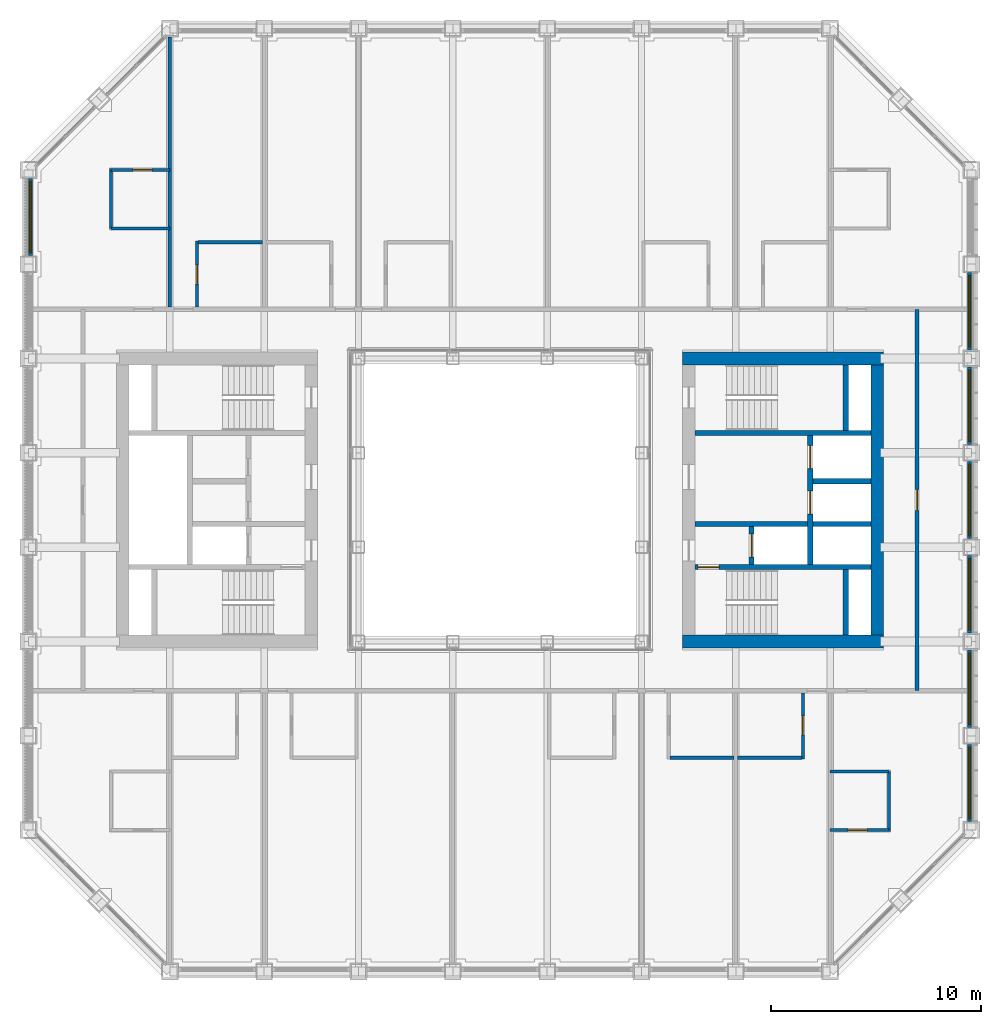
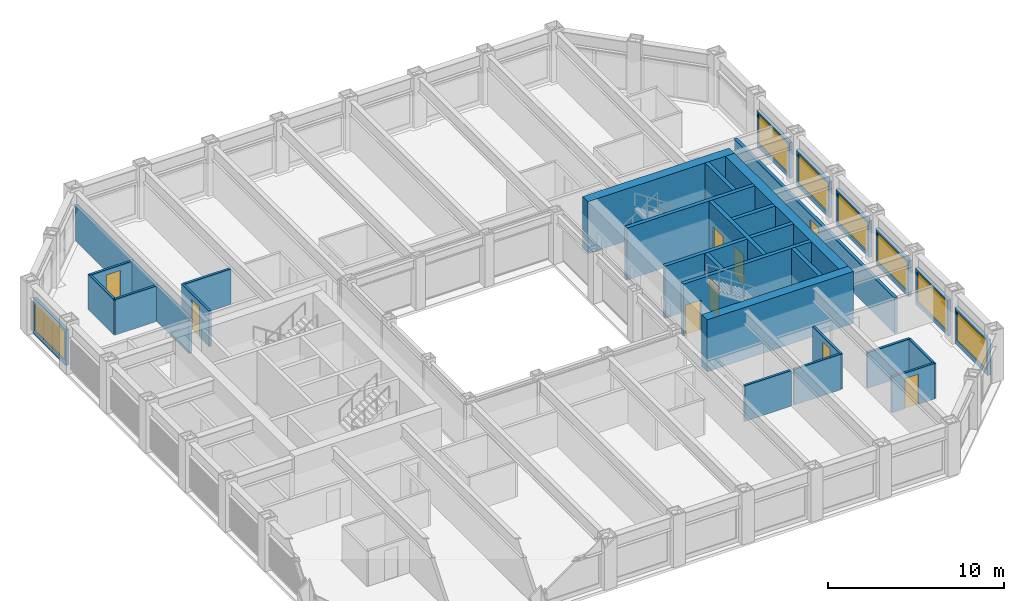
# One storey, part 12 of 17: 32 walls, 9 doors, 7 windows, 16 openings.
"""IFC4 building model written with IfcOpenShell, lengths in metres."""

import ifcopenshell
import ifcopenshell.guid

model = None  # the IFC model being written
_history = None  # IfcOwnerHistory: only IFC2X3 demands one
_inside = {}  # id of a spatial element -> (the spatial element, [elements in it])
_under = {}  # id of a project, library or spatial element -> (it, [spatial elements below it])
_declared = {}  # id of a project -> (the project, [libraries it declares])
_typed = {}  # id of a type object -> (the type object, [elements of that type])
_made_of = {}  # id of a material, layer set ... -> (it, [elements and type objects made of it])


def new_model(schema):
    """Start an empty IFC model of exactly this schema.

    Asked for "IFC4X3", IfcOpenShell would pick the latest addendum, in which some entities
    have other attributes; the version numbers below select the first issue.
    IFC2X3 requires an IfcOwnerHistory on every rooted entity: one is made here for all.
    """
    global model, _history
    if schema == "IFC4X3":
        model = ifcopenshell.file(schema_version=(4, 3, 0, 0))
    else:
        model = ifcopenshell.file(schema=schema)
    _inside.clear()
    _under.clear()
    _declared.clear()
    _typed.clear()
    _made_of.clear()
    _history = None
    if model.schema == "IFC2X3":
        org = make("IfcOrganization", Name="unknown")
        user = make(
            "IfcPersonAndOrganization",
            ThePerson=make("IfcPerson", FamilyName="unknown"),
            TheOrganization=org,
        )
        app = make(
            "IfcApplication",
            ApplicationDeveloper=org,
            Version="unknown",
            ApplicationFullName="unknown",
            ApplicationIdentifier="unknown",
        )
        _history = make(
            "IfcOwnerHistory",
            OwningUser=user,
            OwningApplication=app,
            ChangeAction="ADDED",
            CreationDate=0,
        )
    return model


def make(cls, **values):
    """One entity of the class cls with the attributes given. An attribute that is None is left unset."""
    return model.create_entity(
        cls, **{name: value for name, value in values.items() if value is not None}
    )


def rooted(cls, **values):
    """An entity with a GlobalId (a new one), such as an element, a storey or a relation."""
    return make(cls, GlobalId=ifcopenshell.guid.new(), OwnerHistory=_history, **values)


def si_unit(unit_type, name, prefix=None):
    """IfcSIUnit, for example si_unit("LENGTHUNIT", "METRE", prefix="MILLI")."""
    return make("IfcSIUnit", UnitType=unit_type, Prefix=prefix, Name=name)


def assignment(units):
    """IfcUnitAssignment: the units of a project."""
    return None if units is None else make("IfcUnitAssignment", Units=units)


def point(xyz):
    """IfcCartesianPoint."""
    return None if xyz is None else make("IfcCartesianPoint", Coordinates=xyz)


def direction(xyz):
    """IfcDirection."""
    return None if xyz is None else make("IfcDirection", DirectionRatios=xyz)


def frame(location, z_axis=None, x_axis=None):
    """IfcAxis2Placement3D, a coordinate frame: its origin and axes. An axis left out is left unset."""
    return make(
        "IfcAxis2Placement3D",
        Location=point(location),
        Axis=direction(z_axis),
        RefDirection=direction(x_axis),
    )


def frame_2d(location, x_axis=None):
    """IfcAxis2Placement2D, a coordinate frame in the plane: its origin and x axis."""
    return make(
        "IfcAxis2Placement2D", Location=point(location), RefDirection=direction(x_axis)
    )


def origin():
    """The frame at (0, 0, 0) with its axes left unset."""
    return frame((0.0, 0.0, 0.0))


def place(relative_to, where):
    """IfcLocalPlacement: puts the frame where relative to a parent placement (None: the world)."""
    return make(
        "IfcLocalPlacement", PlacementRelTo=relative_to, RelativePlacement=where
    )


def context(
    kind, dimensions, precision=None, world=None, true_north=None, identifier=None
):
    """IfcGeometricRepresentationContext, for example the 3D "Model" context."""
    return make(
        "IfcGeometricRepresentationContext",
        ContextIdentifier=identifier,
        ContextType=kind,
        CoordinateSpaceDimension=dimensions,
        Precision=precision,
        WorldCoordinateSystem=world,
        TrueNorth=true_north,
    )


def subcontext(parent, identifier, kind, view, scale=None):
    """IfcGeometricRepresentationSubContext, for example "Body" below "Model"."""
    return make(
        "IfcGeometricRepresentationSubContext",
        ContextIdentifier=identifier,
        ContextType=kind,
        ParentContext=parent,
        TargetScale=scale,
        TargetView=view,
    )


def project(units=None, contexts=None):
    """IfcProject with its units and contexts."""
    return rooted(
        "IfcProject",
        Name="project",
        RepresentationContexts=contexts,
        UnitsInContext=assignment(units),
    )


def spatial(cls, under=None, at=None, **own):
    """A site, building, storey or space (cls), placed at a placement, below another one or the project."""
    s = rooted(cls, ObjectPlacement=at, **own)
    if under is not None:
        _under.setdefault(under.id(), (under, []))[1].append(s)
    return s


def profile(cls, at=None, kind="AREA", **sizes):
    """A parametric profile (cls). Its sizes go by their IFC names, for example OverallWidth=200.0."""
    return make(cls, ProfileType=kind, Position=at, **sizes)


def rectangle(**sizes):
    """IfcRectangleProfileDef."""
    return profile("IfcRectangleProfileDef", **sizes)


def extrude(swept, where, along, depth):
    """IfcExtrudedAreaSolid: the profile swept, set in the frame where, extruded along a direction by depth."""
    return make(
        "IfcExtrudedAreaSolid",
        SweptArea=swept,
        Position=where,
        ExtrudedDirection=direction(along),
        Depth=depth,
    )


def shape(context_of_items, identifier, shape_type, items):
    """IfcShapeRepresentation: the items that make up one representation, for example the "Body"."""
    return make(
        "IfcShapeRepresentation",
        ContextOfItems=context_of_items,
        RepresentationIdentifier=identifier,
        RepresentationType=shape_type,
        Items=items,
    )


def material(Name=None, Category=None):
    """IfcMaterial."""
    return make("IfcMaterial", Name=Name, Category=Category)


def layer(
    of_material, thickness, ventilated=None, Name=None, Category=None, Priority=None
):
    """IfcMaterialLayer: one layer of a wall or slab, of a material (None: an air gap)."""
    return make(
        "IfcMaterialLayer",
        Material=of_material,
        LayerThickness=thickness,
        IsVentilated=ventilated,
        Name=Name,
        Category=Category,
        Priority=Priority,
    )


def layer_set(layers, Name=None):
    """IfcMaterialLayerSet."""
    return make("IfcMaterialLayerSet", MaterialLayers=layers, LayerSetName=Name)


def made_of(thing, what):
    """Note that an element or type object is made of a material, layer set ...; save() writes the relation."""
    if what is not None:
        _made_of.setdefault(what.id(), (what, []))[1].append(thing)
    return thing


def type_object(cls, material=None, **own):
    """A type object (cls), such as IfcWallType, which elements share."""
    return made_of(rooted(cls, **own), material)


def element(
    cls,
    number,
    at=None,
    inside=None,
    cuts=None,
    type_object=None,
    material=None,
    context=None,
    identifier="Body",
    shape_type=None,
    held_by="IfcProductDefinitionShape",
    body=None,
    shapes=None,
    **own,
):
    """One element of the class cls, such as IfcWall. Its Tag is "e" and its number.

    at: its placement. inside: the storey or other place that contains it. cuts: it is an
    opening in that element (IfcRelVoidsElement). A single representation is given by context,
    identifier, shape_type and body (its items); several are given by shapes. held_by: the class
    of the entity that holds the representations. save() writes the other relations.
    """
    e = rooted(cls, Tag="e%d" % number, ObjectPlacement=at, **own)
    if body is not None:
        shapes = [shape(context, identifier, shape_type, body)]
    if shapes is not None:
        e.Representation = make(held_by, Representations=shapes)
    if inside is not None:
        _inside.setdefault(inside.id(), (inside, []))[1].append(e)
    if cuts is not None:
        rooted(
            "IfcRelVoidsElement", RelatingBuildingElement=cuts, RelatedOpeningElement=e
        )
    if type_object is not None:
        _typed.setdefault(type_object.id(), (type_object, []))[1].append(e)
    return made_of(e, material)


def fill(opening, filler):
    """IfcRelFillsElement: the door or window that sits in an opening."""
    return rooted(
        "IfcRelFillsElement",
        RelatingOpeningElement=opening,
        RelatedBuildingElement=filler,
    )


def aggregate(whole, parts):
    """IfcRelAggregates: a whole, such as a stair, and the parts it consists of."""
    return rooted("IfcRelAggregates", RelatingObject=whole, RelatedObjects=parts)


def save(model, path):
    """Write the relations noted so far, then the file.

    IfcRelAggregates (storeys below a building ...), IfcRelContainedInSpatialStructure (elements
    in a storey), IfcRelDefinesByType, IfcRelAssociatesMaterial and IfcRelDeclares: one each for
    every whole, place, type object, material and project.
    """
    for whole, parts in _under.values():
        aggregate(whole, parts)
    for where, things in _inside.values():
        rooted(
            "IfcRelContainedInSpatialStructure",
            RelatedElements=things,
            RelatingStructure=where,
        )
    for kind, things in _typed.values():
        rooted("IfcRelDefinesByType", RelatedObjects=things, RelatingType=kind)
    for what, things in _made_of.values():
        rooted("IfcRelAssociatesMaterial", RelatedObjects=things, RelatingMaterial=what)
    for by, libraries in _declared.values():
        rooted("IfcRelDeclares", RelatingContext=by, RelatedDefinitions=libraries)
    model.write(path)


model = new_model("IFC4")

# Units and contexts
model_context = context("Model", 3, precision=1e-05, world=origin(), true_north=direction((0.0, 1.0)))
body_context = subcontext(model_context, "Body", "Model", "MODEL_VIEW")
ifc_project = project(units=[si_unit("LENGTHUNIT", "METRE"), si_unit("AREAUNIT", "SQUARE_METRE"), si_unit("VOLUMEUNIT", "CUBIC_METRE"), si_unit("PLANEANGLEUNIT", "RADIAN"), si_unit("MASSUNIT", "GRAM", prefix="KILO")], contexts=[model_context])

# Site, building, storey
site_placement = place(None, origin())
site = spatial("IfcSite", under=ifc_project, at=site_placement, CompositionType="ELEMENT")
building_placement = place(site_placement, origin())
building = spatial("IfcBuilding", under=site, at=building_placement, Name="Msasa Ring Tower", CompositionType="ELEMENT")
storey_placement = place(building_placement, frame((0.0, 0.0, 129.199951171875)))
storey = spatial("IfcBuildingStorey", under=building, at=storey_placement, Name="L33", CompositionType="ELEMENT", Elevation=129.199951171875)

# Walls
ifc_material_1 = material(Name="Concrete C60/75", Category="concrete")
ifc_layer_1 = layer(ifc_material_1, 0.60009765625)
ifc_layer_set_1 = layer_set([ifc_layer_1], Name="CW2 CORE WALL 600")
wall_type_1 = type_object("IfcWallType", Name="CW2 CORE WALL 600", PredefinedType="SHEAR", material=ifc_layer_set_1)
for number, where, z_axis, x_axis, name in (
    (1, (8.699951171875, -6.75, 0.0), (0.0, 0.0, 1.0), (1.0, 0.0, 0.0), "E core wall S L33"),
    (2, (8.699951171875, 6.75, 0.0), (0.0, 0.0, 1.0), (1.0, 0.0, 0.0), "E core wall N L33"),
):
    element("IfcWall", number, at=place(storey_placement, frame(where, z_axis=z_axis, x_axis=x_axis)), inside=storey, type_object=wall_type_1, Name=name, PredefinedType="SHEAR", context=body_context, shape_type="SweptSolid", body=[
        extrude(rectangle(XDim=9.60009765625, YDim=0.60009765625, at=frame_2d((4.800048828125, 0.0))), origin(), (0.0, 0.0, 1.0), 3.60009765625),
    ])
wall_1_placement = place(storey_placement, frame((18.0, -6.449951171875, 0.0), z_axis=(0.0, 0.0, 1.0), x_axis=(0.0, 1.0, 0.0)))
element("IfcWall", 3, at=wall_1_placement, inside=storey, type_object=wall_type_1, Name="E core wall E L33", PredefinedType="SHEAR", context=body_context, shape_type="SweptSolid", body=[
    extrude(rectangle(XDim=12.89990234375, YDim=0.60009765625, at=frame_2d((6.449951171875, 0.0))), origin(), (0.0, 0.0, 1.0), 3.60009765625),
])

# Wall, opening, door
ifc_material_2 = material(Name="Concrete C60/75", Category="concrete")
ifc_layer_2 = layer(ifc_material_2, 0.25)
ifc_layer_set_2 = layer_set([ifc_layer_2], Name="CW4 CORE INNER WALL 250")
wall_type_2 = type_object("IfcWallType", Name="CW4 CORE INNER WALL 250", PredefinedType="SHEAR", material=ifc_layer_set_2)
wall_2_placement = place(storey_placement, frame((9.300048828125, -3.199951171875, 0.0), z_axis=(0.0, 0.0, 1.0), x_axis=(1.0, 0.0, 0.0)))
wall_2 = element("IfcWall", 4, at=wall_2_placement, inside=storey, type_object=wall_type_2, Name="E core wall STAIRA L33", PredefinedType="SHEAR", context=body_context, shape_type="SweptSolid", body=[
    extrude(rectangle(XDim=8.39990234375, YDim=0.25, at=frame_2d((4.199951171875, 0.0))), origin(), (0.0, 0.0, 1.0), 3.60009765625),
])
opening_1_placement = place(wall_2_placement, frame((0.14990234375, 0.0, 0.0)))
opening_1 = element("IfcOpeningElement", 5, at=opening_1_placement, cuts=wall_2, Name="Opening HB-026", PredefinedType="OPENING", context=body_context, shape_type="SweptSolid", body=[
    extrude(rectangle(XDim=1.0, YDim=2.10009765625, at=frame_2d((0.5, 1.050048828125))), frame((0.0, 0.135009765625, 0.0), z_axis=(0.0, -1.0, 0.0), x_axis=(1.0, 0.0, 0.0)), (0.0, 0.0, 1.0), 0.27001953125),
])
ifc_material_3 = material(Name="Timber door leaf in a steel frame", Category="steel")
door_type_1 = type_object("IfcDoorType", Name="D6 STAIR DOOR 1000x2100", OperationType="SINGLE_SWING_LEFT", PredefinedType="DOOR", material=ifc_material_3)
door_1_placement = place(opening_1_placement, origin())
door_1 = element("IfcDoor", 6, at=door_1_placement, inside=storey, type_object=door_type_1, Name="Door L33-ESTA", OperationType="SINGLE_SWING_LEFT", OverallHeight=2.10009765625, OverallWidth=1.0, PredefinedType="DOOR", context=body_context, shape_type="SweptSolid", body=[
    extrude(rectangle(XDim=1.0, YDim=2.10009765625, at=frame_2d((0.5, 1.050048828125))), frame((0.0, 0.02490234375, 0.0), z_axis=(0.0, -1.0, 0.0), x_axis=(1.0, 0.0, 0.0)), (0.0, 0.0, 1.0), 0.050048828125),
])
fill(opening_1, door_1)

# Walls
wall_3_placement = place(storey_placement, frame((9.300048828125, 3.199951171875, 0.0), z_axis=(0.0, 0.0, 1.0), x_axis=(1.0, 0.0, 0.0)))
element("IfcWall", 7, at=wall_3_placement, inside=storey, type_object=wall_type_2, Name="E core wall STAIRB L33", PredefinedType="SHEAR", context=body_context, shape_type="SweptSolid", body=[
    extrude(rectangle(XDim=8.39990234375, YDim=0.25, at=frame_2d((4.199951171875, 0.0))), origin(), (0.0, 0.0, 1.0), 3.60009765625),
])
for number, where, z_axis, x_axis, name in (
    (8, (16.5, -6.449951171875, 0.0), (0.0, 0.0, 1.0), (0.0, 1.0, 0.0), "E core wall RISERA L33"),
    (9, (16.5, 3.324951171875, 0.0), (0.0, 0.0, 1.0), (0.0, 1.0, 0.0), "E core wall RISERB L33"),
):
    element("IfcWall", number, at=place(storey_placement, frame(where, z_axis=z_axis, x_axis=x_axis)), inside=storey, type_object=wall_type_2, Name=name, PredefinedType="SHEAR", context=body_context, shape_type="SweptSolid", body=[
        extrude(rectangle(XDim=3.125, YDim=0.25, at=frame_2d((1.5625, 0.0))), origin(), (0.0, 0.0, 1.0), 3.60009765625),
    ])
wall_4_placement = place(storey_placement, frame((9.300048828125, -1.14990234375, 0.0), z_axis=(0.0, 0.0, 1.0), x_axis=(1.0, 0.0, 0.0)))
element("IfcWall", 10, at=wall_4_placement, inside=storey, type_object=wall_type_2, Name="E core wall FFL L33", PredefinedType="SHEAR", context=body_context, shape_type="SweptSolid", body=[
    extrude(rectangle(XDim=5.375, YDim=0.25, at=frame_2d((2.6875, 0.0))), origin(), (0.0, 0.0, 1.0), 3.60009765625),
])

# Wall, opening, door
wall_5_placement = place(storey_placement, frame((12.0, -3.074951171875, 0.0), z_axis=(0.0, 0.0, 1.0), x_axis=(0.0, 1.0, 0.0)))
wall_5 = element("IfcWall", 11, at=wall_5_placement, inside=storey, type_object=wall_type_2, Name="E core wall LOBBY L33", PredefinedType="SHEAR", context=body_context, shape_type="SweptSolid", body=[
    extrude(rectangle(XDim=1.800048828125, YDim=0.25, at=frame_2d((0.89990234375, 0.0))), origin(), (0.0, 0.0, 1.0), 3.60009765625),
])
opening_2_placement = place(wall_5_placement, frame((0.35009765625, 0.0, 0.0)))
opening_2 = element("IfcOpeningElement", 12, at=opening_2_placement, cuts=wall_5, Name="Opening LD1", PredefinedType="OPENING", context=body_context, shape_type="SweptSolid", body=[
    extrude(rectangle(XDim=1.10009765625, YDim=2.10009765625, at=frame_2d((0.550048828125, 1.050048828125))), frame((0.0, 0.135009765625, 0.0), z_axis=(0.0, -1.0, 0.0), x_axis=(1.0, 0.0, 0.0)), (0.0, 0.0, 1.0), 0.27001953125),
])
ifc_material_4 = material(Name="Stainless steel lift landing door", Category="steel")
door_type_2 = type_object("IfcDoorType", Name="LD1 LIFT LANDING DOOR 1100x2100", OperationType="DOUBLE_DOOR_SLIDING", PredefinedType="DOOR", material=ifc_material_4)
door_2_placement = place(opening_2_placement, origin())
door_2 = element("IfcDoor", 13, at=door_2_placement, inside=storey, type_object=door_type_2, Name="Lift landing door FL-E L33", OperationType="DOUBLE_DOOR_SLIDING", OverallHeight=2.10009765625, OverallWidth=1.10009765625, PredefinedType="DOOR", context=body_context, shape_type="SweptSolid", body=[
    extrude(rectangle(XDim=1.10009765625, YDim=2.10009765625, at=frame_2d((0.550048828125, 1.050048828125))), frame((0.0, 0.02490234375, 0.0), z_axis=(0.0, -1.0, 0.0), x_axis=(1.0, 0.0, 0.0)), (0.0, 0.0, 1.0), 0.050048828125),
])
fill(opening_2, door_2)

# Wall, openings, doors
wall_6_placement = place(storey_placement, frame((14.800048828125, -3.074951171875, 0.0), z_axis=(0.0, 0.0, 1.0), x_axis=(0.0, 1.0, 0.0)))
wall_6 = element("IfcWall", 14, at=wall_6_placement, inside=storey, type_object=wall_type_2, Name="E core wall SHAFT L33", PredefinedType="SHEAR", context=body_context, shape_type="SweptSolid", body=[
    extrude(rectangle(XDim=6.14990234375, YDim=0.25, at=frame_2d((3.074951171875, 0.0))), origin(), (0.0, 0.0, 1.0), 3.60009765625),
])
opening_3_placement = place(wall_6_placement, frame((2.39990234375, 0.0, 0.0)))
opening_3 = element("IfcOpeningElement", 15, at=opening_3_placement, cuts=wall_6, Name="Opening LD1", PredefinedType="OPENING", context=body_context, shape_type="SweptSolid", body=[
    extrude(rectangle(XDim=1.10009765625, YDim=2.10009765625, at=frame_2d((0.550048828125, 1.050048828125))), frame((0.0, 0.135009765625, 0.0), z_axis=(0.0, -1.0, 0.0), x_axis=(1.0, 0.0, 0.0)), (0.0, 0.0, 1.0), 0.27001953125),
])
opening_4_placement = place(wall_6_placement, frame((4.574951171875, 0.0, 0.0)))
opening_4 = element("IfcOpeningElement", 16, at=opening_4_placement, cuts=wall_6, Name="Opening LD1", PredefinedType="OPENING", context=body_context, shape_type="SweptSolid", body=[
    extrude(rectangle(XDim=1.10009765625, YDim=2.10009765625, at=frame_2d((0.550048828125, 1.050048828125))), frame((0.0, 0.135009765625, 0.0), z_axis=(0.0, -1.0, 0.0), x_axis=(1.0, 0.0, 0.0)), (0.0, 0.0, 1.0), 0.27001953125),
])
door_3_placement = place(opening_3_placement, origin())
door_3 = element("IfcDoor", 17, at=door_3_placement, inside=storey, type_object=door_type_2, Name="Lift landing door PL-H1 L33", OperationType="DOUBLE_DOOR_SLIDING", OverallHeight=2.10009765625, OverallWidth=1.10009765625, PredefinedType="DOOR", context=body_context, shape_type="SweptSolid", body=[
    extrude(rectangle(XDim=1.10009765625, YDim=2.10009765625, at=frame_2d((0.550048828125, 1.050048828125))), frame((0.0, 0.02490234375, 0.0), z_axis=(0.0, -1.0, 0.0), x_axis=(1.0, 0.0, 0.0)), (0.0, 0.0, 1.0), 0.050048828125),
])
fill(opening_3, door_3)
door_4_placement = place(opening_4_placement, origin())
door_4 = element("IfcDoor", 18, at=door_4_placement, inside=storey, type_object=door_type_2, Name="Lift landing door PL-H2 L33", OperationType="DOUBLE_DOOR_SLIDING", OverallHeight=2.10009765625, OverallWidth=1.10009765625, PredefinedType="DOOR", context=body_context, shape_type="SweptSolid", body=[
    extrude(rectangle(XDim=1.10009765625, YDim=2.10009765625, at=frame_2d((0.550048828125, 1.050048828125))), frame((0.0, 0.02490234375, 0.0), z_axis=(0.0, -1.0, 0.0), x_axis=(1.0, 0.0, 0.0)), (0.0, 0.0, 1.0), 0.050048828125),
])
fill(opening_4, door_4)

# Walls
for number, where, z_axis, x_axis, name in (
    (19, (14.925048828125, -1.14990234375, 0.0), (0.0, 0.0, 1.0), (1.0, 0.0, 0.0), "E core wall HSEP L33"),
    (20, (14.925048828125, 0.89990234375, 0.0), (0.0, 0.0, 1.0), (1.0, 0.0, 0.0), "E core wall HLIFT L33"),
):
    element("IfcWall", number, at=place(storey_placement, frame(where, z_axis=z_axis, x_axis=x_axis)), inside=storey, type_object=wall_type_2, Name=name, PredefinedType="SHEAR", context=body_context, shape_type="SweptSolid", body=[
        extrude(rectangle(XDim=2.77490234375, YDim=0.25, at=frame_2d((1.387451171875, 0.0))), origin(), (0.0, 0.0, 1.0), 3.60009765625),
    ])

# Wall, opening, window
ifc_material_5 = material(Name="Terracotta rainscreen on blockwork", Category="masonry")
ifc_layer_3 = layer(ifc_material_5, 0.199951171875)
ifc_layer_set_3 = layer_set([ifc_layer_3], Name="FW1 TERRACOTTA-LINED INFILL BAY WALL 200")
wall_type_3 = type_object("IfcWallType", Name="FW1 TERRACOTTA-LINED INFILL BAY WALL 200", PredefinedType="SOLIDWALL", material=ifc_layer_set_3)
wall_7_placement = place(storey_placement, frame((22.39990234375, -15.344970703125, 0.0), z_axis=(0.0, 0.0, 1.0), x_axis=(0.0, 1.0, 0.0)))
wall_7 = element("IfcWall", 21, at=wall_7_placement, inside=storey, type_object=wall_type_3, Name="Infill bay wall E L33 09", PredefinedType="SOLIDWALL", context=body_context, shape_type="SweptSolid", body=[
    extrude(rectangle(XDim=3.68994140625, YDim=0.199951171875, at=frame_2d((1.844970703125, 0.0))), origin(), (0.0, 0.0, 1.0), 2.47900390625),
])
opening_5_placement = place(wall_7_placement, frame((0.14501953125, 0.0, 0.300048828125)))
opening_5 = element("IfcOpeningElement", 22, at=opening_5_placement, cuts=wall_7, Name="Opening WN2", PredefinedType="OPENING", context=body_context, shape_type="SweptSolid", body=[
    extrude(rectangle(XDim=3.39990234375, YDim=2.029052734375, at=frame_2d((1.699951171875, 1.0146484375))), frame((0.0, 0.10986328125, 0.0), z_axis=(0.0, -1.0, 0.0), x_axis=(1.0, 0.0, 0.0)), (0.0, 0.0, 1.0), 0.219970703125),
])
ifc_material_6 = material(Name="Aluminium frame with clear glass", Category="aluminium")
window_type = type_object("IfcWindowType", Name="WN2 GUEST ROOM WINDOW 3400x2029", PartitioningType="SINGLE_PANEL", PredefinedType="WINDOW", material=ifc_material_6)
window_1_placement = place(opening_5_placement, origin())
window_1 = element("IfcWindow", 23, at=window_1_placement, inside=storey, type_object=window_type, Name="Window E L33 09", OverallHeight=2.029052734375, OverallWidth=3.39990234375, PartitioningType="SINGLE_PANEL", PredefinedType="WINDOW", context=body_context, shape_type="SweptSolid", body=[
    extrude(rectangle(XDim=3.39990234375, YDim=2.029052734375, at=frame_2d((1.699951171875, 1.0146484375))), frame((0.0, 0.030029296875, 0.0), z_axis=(0.0, -1.0, 0.0), x_axis=(1.0, 0.0, 0.0)), (0.0, 0.0, 1.0), 0.06005859375),
])
fill(opening_5, window_1)

wall_8_placement = place(storey_placement, frame((22.39990234375, -10.844970703125, 0.0), z_axis=(0.0, 0.0, 1.0), x_axis=(0.0, 1.0, 0.0)))
wall_8 = element("IfcWall", 24, at=wall_8_placement, inside=storey, type_object=wall_type_3, Name="Infill bay wall E L33 10", PredefinedType="SOLIDWALL", context=body_context, shape_type="SweptSolid", body=[
    extrude(rectangle(XDim=3.68994140625, YDim=0.199951171875, at=frame_2d((1.844970703125, 0.0))), origin(), (0.0, 0.0, 1.0), 2.47900390625),
])
opening_6_placement = place(wall_8_placement, frame((0.14501953125, 0.0, 0.300048828125)))
opening_6 = element("IfcOpeningElement", 25, at=opening_6_placement, cuts=wall_8, Name="Opening WN2", PredefinedType="OPENING", context=body_context, shape_type="SweptSolid", body=[
    extrude(rectangle(XDim=3.39990234375, YDim=2.029052734375, at=frame_2d((1.699951171875, 1.0146484375))), frame((0.0, 0.10986328125, 0.0), z_axis=(0.0, -1.0, 0.0), x_axis=(1.0, 0.0, 0.0)), (0.0, 0.0, 1.0), 0.219970703125),
])
window_2_placement = place(opening_6_placement, origin())
window_2 = element("IfcWindow", 26, at=window_2_placement, inside=storey, type_object=window_type, Name="Window E L33 10", OverallHeight=2.029052734375, OverallWidth=3.39990234375, PartitioningType="SINGLE_PANEL", PredefinedType="WINDOW", context=body_context, shape_type="SweptSolid", body=[
    extrude(rectangle(XDim=3.39990234375, YDim=2.029052734375, at=frame_2d((1.699951171875, 1.0146484375))), frame((0.0, 0.030029296875, 0.0), z_axis=(0.0, -1.0, 0.0), x_axis=(1.0, 0.0, 0.0)), (0.0, 0.0, 1.0), 0.06005859375),
])
fill(opening_6, window_2)

wall_9_placement = place(storey_placement, frame((22.39990234375, -6.344970703125, 0.0), z_axis=(0.0, 0.0, 1.0), x_axis=(0.0, 1.0, 0.0)))
wall_9 = element("IfcWall", 27, at=wall_9_placement, inside=storey, type_object=wall_type_3, Name="Infill bay wall E L33 11", PredefinedType="SOLIDWALL", context=body_context, shape_type="SweptSolid", body=[
    extrude(rectangle(XDim=3.68994140625, YDim=0.199951171875, at=frame_2d((1.844970703125, 0.0))), origin(), (0.0, 0.0, 1.0), 2.47900390625),
])
opening_7_placement = place(wall_9_placement, frame((0.14501953125, 0.0, 0.300048828125)))
opening_7 = element("IfcOpeningElement", 28, at=opening_7_placement, cuts=wall_9, Name="Opening WN2", PredefinedType="OPENING", context=body_context, shape_type="SweptSolid", body=[
    extrude(rectangle(XDim=3.39990234375, YDim=2.029052734375, at=frame_2d((1.699951171875, 1.0146484375))), frame((0.0, 0.10986328125, 0.0), z_axis=(0.0, -1.0, 0.0), x_axis=(1.0, 0.0, 0.0)), (0.0, 0.0, 1.0), 0.219970703125),
])
window_3_placement = place(opening_7_placement, origin())
window_3 = element("IfcWindow", 29, at=window_3_placement, inside=storey, type_object=window_type, Name="Window E L33 11", OverallHeight=2.029052734375, OverallWidth=3.39990234375, PartitioningType="SINGLE_PANEL", PredefinedType="WINDOW", context=body_context, shape_type="SweptSolid", body=[
    extrude(rectangle(XDim=3.39990234375, YDim=2.029052734375, at=frame_2d((1.699951171875, 1.0146484375))), frame((0.0, 0.030029296875, 0.0), z_axis=(0.0, -1.0, 0.0), x_axis=(1.0, 0.0, 0.0)), (0.0, 0.0, 1.0), 0.06005859375),
])
fill(opening_7, window_3)

wall_10_placement = place(storey_placement, frame((22.39990234375, -1.844970703125, 0.0), z_axis=(0.0, 0.0, 1.0), x_axis=(0.0, 1.0, 0.0)))
wall_10 = element("IfcWall", 30, at=wall_10_placement, inside=storey, type_object=wall_type_3, Name="Infill bay wall E L33 12", PredefinedType="SOLIDWALL", context=body_context, shape_type="SweptSolid", body=[
    extrude(rectangle(XDim=3.68994140625, YDim=0.199951171875, at=frame_2d((1.844970703125, 0.0))), origin(), (0.0, 0.0, 1.0), 2.47900390625),
])
opening_8_placement = place(wall_10_placement, frame((0.14501953125, 0.0, 0.300048828125)))
opening_8 = element("IfcOpeningElement", 31, at=opening_8_placement, cuts=wall_10, Name="Opening WN2", PredefinedType="OPENING", context=body_context, shape_type="SweptSolid", body=[
    extrude(rectangle(XDim=3.39990234375, YDim=2.029052734375, at=frame_2d((1.699951171875, 1.0146484375))), frame((0.0, 0.10986328125, 0.0), z_axis=(0.0, -1.0, 0.0), x_axis=(1.0, 0.0, 0.0)), (0.0, 0.0, 1.0), 0.219970703125),
])
window_4_placement = place(opening_8_placement, origin())
window_4 = element("IfcWindow", 32, at=window_4_placement, inside=storey, type_object=window_type, Name="Window E L33 12", OverallHeight=2.029052734375, OverallWidth=3.39990234375, PartitioningType="SINGLE_PANEL", PredefinedType="WINDOW", context=body_context, shape_type="SweptSolid", body=[
    extrude(rectangle(XDim=3.39990234375, YDim=2.029052734375, at=frame_2d((1.699951171875, 1.0146484375))), frame((0.0, 0.030029296875, 0.0), z_axis=(0.0, -1.0, 0.0), x_axis=(1.0, 0.0, 0.0)), (0.0, 0.0, 1.0), 0.06005859375),
])
fill(opening_8, window_4)

wall_11_placement = place(storey_placement, frame((22.39990234375, 2.655029296875, 0.0), z_axis=(0.0, 0.0, 1.0), x_axis=(0.0, 1.0, 0.0)))
wall_11 = element("IfcWall", 33, at=wall_11_placement, inside=storey, type_object=wall_type_3, Name="Infill bay wall E L33 13", PredefinedType="SOLIDWALL", context=body_context, shape_type="SweptSolid", body=[
    extrude(rectangle(XDim=3.68994140625, YDim=0.199951171875, at=frame_2d((1.844970703125, 0.0))), origin(), (0.0, 0.0, 1.0), 2.47900390625),
])
opening_9_placement = place(wall_11_placement, frame((0.14501953125, 0.0, 0.300048828125)))
opening_9 = element("IfcOpeningElement", 34, at=opening_9_placement, cuts=wall_11, Name="Opening WN2", PredefinedType="OPENING", context=body_context, shape_type="SweptSolid", body=[
    extrude(rectangle(XDim=3.39990234375, YDim=2.029052734375, at=frame_2d((1.699951171875, 1.0146484375))), frame((0.0, 0.10986328125, 0.0), z_axis=(0.0, -1.0, 0.0), x_axis=(1.0, 0.0, 0.0)), (0.0, 0.0, 1.0), 0.219970703125),
])
window_5_placement = place(opening_9_placement, origin())
window_5 = element("IfcWindow", 35, at=window_5_placement, inside=storey, type_object=window_type, Name="Window E L33 13", OverallHeight=2.029052734375, OverallWidth=3.39990234375, PartitioningType="SINGLE_PANEL", PredefinedType="WINDOW", context=body_context, shape_type="SweptSolid", body=[
    extrude(rectangle(XDim=3.39990234375, YDim=2.029052734375, at=frame_2d((1.699951171875, 1.0146484375))), frame((0.0, 0.030029296875, 0.0), z_axis=(0.0, -1.0, 0.0), x_axis=(1.0, 0.0, 0.0)), (0.0, 0.0, 1.0), 0.06005859375),
])
fill(opening_9, window_5)

wall_12_placement = place(storey_placement, frame((22.39990234375, 7.155029296875, 0.0), z_axis=(0.0, 0.0, 1.0), x_axis=(0.0, 1.0, 0.0)))
wall_12 = element("IfcWall", 36, at=wall_12_placement, inside=storey, type_object=wall_type_3, Name="Infill bay wall E L33 14", PredefinedType="SOLIDWALL", context=body_context, shape_type="SweptSolid", body=[
    extrude(rectangle(XDim=3.68994140625, YDim=0.199951171875, at=frame_2d((1.844970703125, 0.0))), origin(), (0.0, 0.0, 1.0), 2.47900390625),
])
opening_10_placement = place(wall_12_placement, frame((0.14501953125, 0.0, 0.300048828125)))
opening_10 = element("IfcOpeningElement", 37, at=opening_10_placement, cuts=wall_12, Name="Opening WN2", PredefinedType="OPENING", context=body_context, shape_type="SweptSolid", body=[
    extrude(rectangle(XDim=3.39990234375, YDim=2.029052734375, at=frame_2d((1.699951171875, 1.0146484375))), frame((0.0, 0.10986328125, 0.0), z_axis=(0.0, -1.0, 0.0), x_axis=(1.0, 0.0, 0.0)), (0.0, 0.0, 1.0), 0.219970703125),
])
window_6_placement = place(opening_10_placement, origin())
window_6 = element("IfcWindow", 38, at=window_6_placement, inside=storey, type_object=window_type, Name="Window E L33 14", OverallHeight=2.029052734375, OverallWidth=3.39990234375, PartitioningType="SINGLE_PANEL", PredefinedType="WINDOW", context=body_context, shape_type="SweptSolid", body=[
    extrude(rectangle(XDim=3.39990234375, YDim=2.029052734375, at=frame_2d((1.699951171875, 1.0146484375))), frame((0.0, 0.030029296875, 0.0), z_axis=(0.0, -1.0, 0.0), x_axis=(1.0, 0.0, 0.0)), (0.0, 0.0, 1.0), 0.06005859375),
])
fill(opening_10, window_6)

wall_13_placement = place(storey_placement, frame((-22.39990234375, 11.655029296875, 0.0), z_axis=(0.0, 0.0, 1.0), x_axis=(0.0, 1.0, 0.0)))
wall_13 = element("IfcWall", 39, at=wall_13_placement, inside=storey, type_object=wall_type_3, Name="Infill bay wall W L33 33", PredefinedType="SOLIDWALL", context=body_context, shape_type="SweptSolid", body=[
    extrude(rectangle(XDim=3.68994140625, YDim=0.199951171875, at=frame_2d((1.844970703125, 0.0))), origin(), (0.0, 0.0, 1.0), 2.47900390625),
])
opening_11_placement = place(wall_13_placement, frame((0.14501953125, 0.0, 0.300048828125)))
opening_11 = element("IfcOpeningElement", 40, at=opening_11_placement, cuts=wall_13, Name="Opening WN2", PredefinedType="OPENING", context=body_context, shape_type="SweptSolid", body=[
    extrude(rectangle(XDim=3.39990234375, YDim=2.029052734375, at=frame_2d((1.699951171875, 1.0146484375))), frame((0.0, 0.10986328125, 0.0), z_axis=(0.0, -1.0, 0.0), x_axis=(1.0, 0.0, 0.0)), (0.0, 0.0, 1.0), 0.219970703125),
])
window_7_placement = place(opening_11_placement, origin())
window_7 = element("IfcWindow", 41, at=window_7_placement, inside=storey, type_object=window_type, Name="Window W L33 33", OverallHeight=2.029052734375, OverallWidth=3.39990234375, PartitioningType="SINGLE_PANEL", PredefinedType="WINDOW", context=body_context, shape_type="SweptSolid", body=[
    extrude(rectangle(XDim=3.39990234375, YDim=2.029052734375, at=frame_2d((1.699951171875, 1.0146484375))), frame((0.0, 0.030029296875, 0.0), z_axis=(0.0, -1.0, 0.0), x_axis=(1.0, 0.0, 0.0)), (0.0, 0.0, 1.0), 0.06005859375),
])
fill(opening_11, window_7)

# Wall, opening, door
ifc_material_7 = material(Name="Concrete blockwork", Category="masonry")
ifc_layer_4 = layer(ifc_material_7, 0.199951171875)
ifc_layer_set_4 = layer_set([ifc_layer_4], Name="PT1 CORRIDOR WALL 200")
wall_type_4 = type_object("IfcWallType", Name="PT1 CORRIDOR WALL 200", PredefinedType="PARTITIONING", material=ifc_layer_set_4)
wall_14_placement = place(storey_placement, frame((19.89990234375, -9.10009765625, 0.0), z_axis=(0.0, 0.0, 1.0), x_axis=(0.0, 1.0, 0.0)))
wall_14 = element("IfcWall", 42, at=wall_14_placement, inside=storey, type_object=wall_type_4, Name="Corridor wall L33-STRE", PredefinedType="PARTITIONING", context=body_context, shape_type="SweptSolid", body=[
    extrude(rectangle(XDim=18.2001953125, YDim=0.199951171875, at=frame_2d((9.10009765625, 0.0))), origin(), (0.0, 0.0, 1.0), 2.473388671875),
])
opening_12_placement = place(wall_14_placement, frame((8.60009765625, 0.0, 0.0)))
opening_12 = element("IfcOpeningElement", 43, at=opening_12_placement, cuts=wall_14, Name="Opening HB-021", PredefinedType="OPENING", context=body_context, shape_type="SweptSolid", body=[
    extrude(rectangle(XDim=1.0, YDim=2.10009765625, at=frame_2d((0.5, 1.050048828125))), frame((0.0, 0.10986328125, 0.0), z_axis=(0.0, -1.0, 0.0), x_axis=(1.0, 0.0, 0.0)), (0.0, 0.0, 1.0), 0.219970703125),
])
ifc_material_8 = material(Name="Timber door leaf in a steel frame", Category="steel")
door_type_3 = type_object("IfcDoorType", Name="D10 STORE DOOR 1000x2100", OperationType="SINGLE_SWING_LEFT", PredefinedType="DOOR", material=ifc_material_8)
door_5_placement = place(opening_12_placement, origin())
door_5 = element("IfcDoor", 44, at=door_5_placement, inside=storey, type_object=door_type_3, Name="Door L33-LGE", OperationType="SINGLE_SWING_LEFT", OverallHeight=2.10009765625, OverallWidth=1.0, PredefinedType="DOOR", context=body_context, shape_type="SweptSolid", body=[
    extrude(rectangle(XDim=1.0, YDim=2.10009765625, at=frame_2d((0.5, 1.050048828125))), frame((0.0, 0.02490234375, 0.0), z_axis=(0.0, -1.0, 0.0), x_axis=(1.0, 0.0, 0.0)), (0.0, 0.0, 1.0), 0.050048828125),
])
fill(opening_12, door_5)

ifc_material_9 = material(Name="Moisture-resistant board on steel studs with a concealed cistern and pipe void, tiled", Category="steel")
ifc_layer_5 = layer(ifc_material_9, 0.14990234375)
ifc_layer_set_5 = layer_set([ifc_layer_5], Name="PT4 BATHROOM WET WALL 150")
wall_type_5 = type_object("IfcWallType", Name="PT4 BATHROOM WET WALL 150", PredefinedType="PARTITIONING", material=ifc_layer_set_5)
wall_15_placement = place(storey_placement, frame((-14.449951171875, 9.199951171875, 0.0), z_axis=(0.0, 0.0, 1.0), x_axis=(0.0, 1.0, 0.0)))
wall_15 = element("IfcWall", 45, at=wall_15_placement, inside=storey, type_object=wall_type_5, Name="Partition L33-GN00BX", PredefinedType="PARTITIONING", context=body_context, shape_type="SweptSolid", body=[
    extrude(rectangle(XDim=3.150146484375, YDim=0.14990234375, at=frame_2d((1.5751953125, 0.0))), origin(), (0.0, 0.0, 1.0), 2.473388671875),
])
opening_13_placement = place(wall_15_placement, frame((1.10009765625, 0.0, 0.0)))
opening_13 = element("IfcOpeningElement", 46, at=opening_13_placement, cuts=wall_15, Name="Opening HB-003", PredefinedType="OPENING", context=body_context, shape_type="SweptSolid", body=[
    extrude(rectangle(XDim=0.89990234375, YDim=2.10009765625, at=frame_2d((0.449951171875, 1.050048828125))), frame((0.0, 0.0849609375, 0.0), z_axis=(0.0, -1.0, 0.0), x_axis=(1.0, 0.0, 0.0)), (0.0, 0.0, 1.0), 0.169921875),
])
ifc_material_10 = material(Name="Timber door leaf in a steel frame", Category="steel")
door_type_4 = type_object("IfcDoorType", Name="D3 BATHROOM DOOR 900x2100", OperationType="SINGLE_SWING_LEFT", PredefinedType="DOOR", material=ifc_material_10)
door_6_placement = place(opening_13_placement, origin())
door_6 = element("IfcDoor", 47, at=door_6_placement, inside=storey, type_object=door_type_4, Name="Door L33-GN00B", OperationType="SINGLE_SWING_LEFT", OverallHeight=2.10009765625, OverallWidth=0.89990234375, PredefinedType="DOOR", context=body_context, shape_type="SweptSolid", body=[
    extrude(rectangle(XDim=0.89990234375, YDim=2.10009765625, at=frame_2d((0.449951171875, 1.050048828125))), frame((0.0, 0.02490234375, 0.0), z_axis=(0.0, -1.0, 0.0), x_axis=(1.0, 0.0, 0.0)), (0.0, 0.0, 1.0), 0.050048828125),
])
fill(opening_13, door_6)

# Walls
wall_16_placement = place(storey_placement, frame((-14.39990234375, 12.300048828125, 0.0), z_axis=(0.0, 0.0, 1.0), x_axis=(1.0, 0.0, 0.0)))
element("IfcWall", 48, at=wall_16_placement, inside=storey, type_object=wall_type_5, Name="Partition L33-GN00BY", PredefinedType="PARTITIONING", context=body_context, shape_type="SweptSolid", body=[
    extrude(rectangle(XDim=3.0625, YDim=0.14990234375, at=frame_2d((1.53125, 0.0))), origin(), (0.0, 0.0, 1.0), 2.473388671875),
])
wall_17_placement = place(storey_placement, frame((-18.550048828125, 12.949951171875, 0.0), z_axis=(0.0, 0.0, 1.0), x_axis=(0.0, 1.0, 0.0)))
element("IfcWall", 49, at=wall_17_placement, inside=storey, type_object=wall_type_5, Name="Partition L33-CSNWBX", PredefinedType="PARTITIONING", context=body_context, shape_type="SweptSolid", body=[
    extrude(rectangle(XDim=2.875, YDim=0.14990234375, at=frame_2d((1.4375, 0.0))), origin(), (0.0, 0.0, 1.0), 2.473388671875),
])
wall_18_placement = place(storey_placement, frame((-18.550048828125, 12.949951171875, 0.0), z_axis=(0.0, 0.0, 1.0), x_axis=(1.0, 0.0, 0.0)))
element("IfcWall", 50, at=wall_18_placement, inside=storey, type_object=wall_type_5, Name="Partition L33-CSNWBY", PredefinedType="PARTITIONING", context=body_context, shape_type="SweptSolid", body=[
    extrude(rectangle(XDim=2.800048828125, YDim=0.14990234375, at=frame_2d((1.39990234375, 0.0))), origin(), (0.0, 0.0, 1.0), 2.473388671875),
])

# Wall, opening, door
wall_19_placement = place(storey_placement, frame((-18.550048828125, 15.75, 0.0), z_axis=(0.0, 0.0, 1.0), x_axis=(1.0, 0.0, 0.0)))
wall_19 = element("IfcWall", 51, at=wall_19_placement, inside=storey, type_object=wall_type_5, Name="Partition L33-CSNWBZ", PredefinedType="PARTITIONING", context=body_context, shape_type="SweptSolid", body=[
    extrude(rectangle(XDim=2.800048828125, YDim=0.14990234375, at=frame_2d((1.39990234375, 0.0))), origin(), (0.0, 0.0, 1.0), 2.473388671875),
])
opening_14_placement = place(wall_19_placement, frame((1.050048828125, 0.0, 0.0)))
opening_14 = element("IfcOpeningElement", 52, at=opening_14_placement, cuts=wall_19, Name="Opening HB-001", PredefinedType="OPENING", context=body_context, shape_type="SweptSolid", body=[
    extrude(rectangle(XDim=0.89990234375, YDim=2.10009765625, at=frame_2d((0.449951171875, 1.050048828125))), frame((0.0, 0.0849609375, 0.0), z_axis=(0.0, -1.0, 0.0), x_axis=(1.0, 0.0, 0.0)), (0.0, 0.0, 1.0), 0.169921875),
])
door_7_placement = place(opening_14_placement, origin())
door_7 = element("IfcDoor", 53, at=door_7_placement, inside=storey, type_object=door_type_4, Name="Door L33-CSNWB1", OperationType="SINGLE_SWING_RIGHT", OverallHeight=2.10009765625, OverallWidth=0.89990234375, PredefinedType="DOOR", context=body_context, shape_type="SweptSolid", body=[
    extrude(rectangle(XDim=0.89990234375, YDim=2.10009765625, at=frame_2d((0.449951171875, 1.050048828125))), frame((0.0, 0.02490234375, 0.0), z_axis=(0.0, -1.0, 0.0), x_axis=(1.0, 0.0, 0.0)), (0.0, 0.0, 1.0), 0.050048828125),
])
fill(opening_14, door_7)

# Wall
wall_20_placement = place(storey_placement, frame((8.10009765625, -12.300048828125, 0.0), z_axis=(0.0, 0.0, 1.0), x_axis=(1.0, 0.0, 0.0)))
element("IfcWall", 54, at=wall_20_placement, inside=storey, type_object=wall_type_5, Name="Partition L33-GS03BY", PredefinedType="PARTITIONING", context=body_context, shape_type="SweptSolid", body=[
    extrude(rectangle(XDim=3.0625, YDim=0.14990234375, at=frame_2d((1.53125, 0.0))), origin(), (0.0, 0.0, 1.0), 2.473388671875),
])

# Wall, opening, door
wall_21_placement = place(storey_placement, frame((14.449951171875, -12.35009765625, 0.0), z_axis=(0.0, 0.0, 1.0), x_axis=(0.0, 1.0, 0.0)))
wall_21 = element("IfcWall", 55, at=wall_21_placement, inside=storey, type_object=wall_type_5, Name="Partition L33-GS04BX", PredefinedType="PARTITIONING", context=body_context, shape_type="SweptSolid", body=[
    extrude(rectangle(XDim=3.150146484375, YDim=0.14990234375, at=frame_2d((1.5751953125, 0.0))), origin(), (0.0, 0.0, 1.0), 2.473388671875),
])
opening_15_placement = place(wall_21_placement, frame((1.14990234375, 0.0, 0.0)))
opening_15 = element("IfcOpeningElement", 56, at=opening_15_placement, cuts=wall_21, Name="Opening HB-038", PredefinedType="OPENING", context=body_context, shape_type="SweptSolid", body=[
    extrude(rectangle(XDim=0.89990234375, YDim=2.10009765625, at=frame_2d((0.449951171875, 1.050048828125))), frame((0.0, 0.0849609375, 0.0), z_axis=(0.0, -1.0, 0.0), x_axis=(1.0, 0.0, 0.0)), (0.0, 0.0, 1.0), 0.169921875),
])
door_8_placement = place(opening_15_placement, origin())
door_8 = element("IfcDoor", 57, at=door_8_placement, inside=storey, type_object=door_type_4, Name="Door L33-GS04B", OperationType="SINGLE_SWING_LEFT", OverallHeight=2.10009765625, OverallWidth=0.89990234375, PredefinedType="DOOR", context=body_context, shape_type="SweptSolid", body=[
    extrude(rectangle(XDim=0.89990234375, YDim=2.10009765625, at=frame_2d((0.449951171875, 1.050048828125))), frame((0.0, 0.02490234375, 0.0), z_axis=(0.0, -1.0, 0.0), x_axis=(1.0, 0.0, 0.0)), (0.0, 0.0, 1.0), 0.050048828125),
])
fill(opening_15, door_8)

# Walls
wall_22_placement = place(storey_placement, frame((11.33740234375, -12.300048828125, 0.0), z_axis=(0.0, 0.0, 1.0), x_axis=(1.0, 0.0, 0.0)))
element("IfcWall", 58, at=wall_22_placement, inside=storey, type_object=wall_type_5, Name="Partition L33-GS04BY", PredefinedType="PARTITIONING", context=body_context, shape_type="SweptSolid", body=[
    extrude(rectangle(XDim=3.0625, YDim=0.14990234375, at=frame_2d((1.53125, 0.0))), origin(), (0.0, 0.0, 1.0), 2.473388671875),
])
wall_23_placement = place(storey_placement, frame((18.550048828125, -15.824951171875, 0.0), z_axis=(0.0, 0.0, 1.0), x_axis=(0.0, 1.0, 0.0)))
element("IfcWall", 59, at=wall_23_placement, inside=storey, type_object=wall_type_5, Name="Partition L33-CSSEBX", PredefinedType="PARTITIONING", context=body_context, shape_type="SweptSolid", body=[
    extrude(rectangle(XDim=2.875, YDim=0.14990234375, at=frame_2d((1.4375, 0.0))), origin(), (0.0, 0.0, 1.0), 2.473388671875),
])
wall_24_placement = place(storey_placement, frame((15.75, -12.949951171875, 0.0), z_axis=(0.0, 0.0, 1.0), x_axis=(1.0, 0.0, 0.0)))
element("IfcWall", 60, at=wall_24_placement, inside=storey, type_object=wall_type_5, Name="Partition L33-CSSEBY", PredefinedType="PARTITIONING", context=body_context, shape_type="SweptSolid", body=[
    extrude(rectangle(XDim=2.800048828125, YDim=0.14990234375, at=frame_2d((1.39990234375, 0.0))), origin(), (0.0, 0.0, 1.0), 2.473388671875),
])

# Wall, opening, door
wall_25_placement = place(storey_placement, frame((15.75, -15.75, 0.0), z_axis=(0.0, 0.0, 1.0), x_axis=(1.0, 0.0, 0.0)))
wall_25 = element("IfcWall", 61, at=wall_25_placement, inside=storey, type_object=wall_type_5, Name="Partition L33-CSSEBZ", PredefinedType="PARTITIONING", context=body_context, shape_type="SweptSolid", body=[
    extrude(rectangle(XDim=2.800048828125, YDim=0.14990234375, at=frame_2d((1.39990234375, 0.0))), origin(), (0.0, 0.0, 1.0), 2.473388671875),
])
opening_16_placement = place(wall_25_placement, frame((0.85009765625, 0.0, 0.0)))
opening_16 = element("IfcOpeningElement", 62, at=opening_16_placement, cuts=wall_25, Name="Opening HB-040", PredefinedType="OPENING", context=body_context, shape_type="SweptSolid", body=[
    extrude(rectangle(XDim=0.89990234375, YDim=2.10009765625, at=frame_2d((0.449951171875, 1.050048828125))), frame((0.0, 0.0849609375, 0.0), z_axis=(0.0, -1.0, 0.0), x_axis=(1.0, 0.0, 0.0)), (0.0, 0.0, 1.0), 0.169921875),
])
door_9_placement = place(opening_16_placement, origin())
door_9 = element("IfcDoor", 63, at=door_9_placement, inside=storey, type_object=door_type_4, Name="Door L33-CSSEB1", OperationType="SINGLE_SWING_LEFT", OverallHeight=2.10009765625, OverallWidth=0.89990234375, PredefinedType="DOOR", context=body_context, shape_type="SweptSolid", body=[
    extrude(rectangle(XDim=0.89990234375, YDim=2.10009765625, at=frame_2d((0.449951171875, 1.050048828125))), frame((0.0, 0.02490234375, 0.0), z_axis=(0.0, -1.0, 0.0), x_axis=(1.0, 0.0, 0.0)), (0.0, 0.0, 1.0), 0.050048828125),
])
fill(opening_16, door_9)

# Wall
ifc_material_11 = material(Name="Twin steel studs, two layers of acoustic board each face, mineral wool", Category="steel")
ifc_layer_6 = layer(ifc_material_11, 0.175048828125)
ifc_layer_set_6 = layer_set([ifc_layer_6], Name="PT5 GUEST ROOM SEPARATING WALL 175")
wall_type_6 = type_object("IfcWallType", Name="PT5 GUEST ROOM SEPARATING WALL 175", PredefinedType="PARTITIONING", material=ifc_layer_set_6)
wall_26_placement = place(storey_placement, frame((-15.75, 9.199951171875, 0.0), z_axis=(0.0, 0.0, 1.0), x_axis=(0.0, 1.0, 0.0)))
element("IfcWall", 64, at=wall_26_placement, inside=storey, type_object=wall_type_6, Name="Partition L33-PWN-15.75", PredefinedType="PARTITIONING", context=body_context, shape_type="SweptSolid", body=[
    extrude(rectangle(XDim=12.900146484375, YDim=0.175048828125, at=frame_2d((6.4501953125, 0.0))), origin(), (0.0, 0.0, 1.0), 2.473388671875),
])

save(model, "model.ifc")
